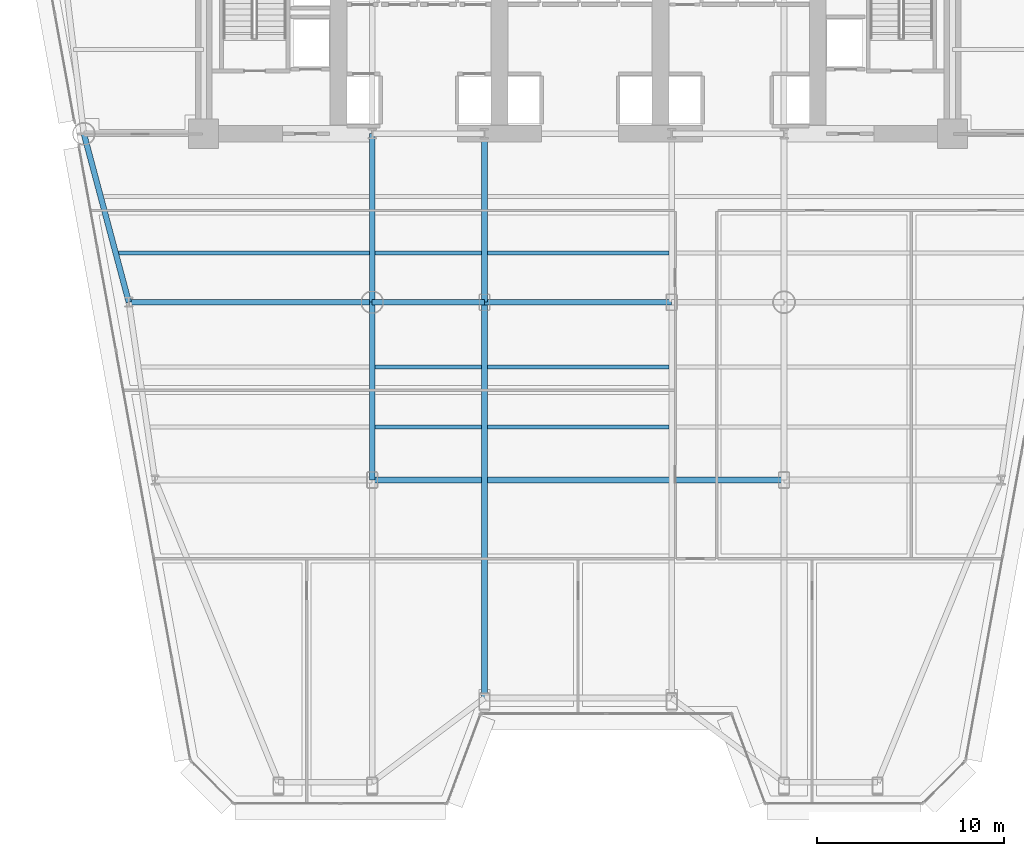
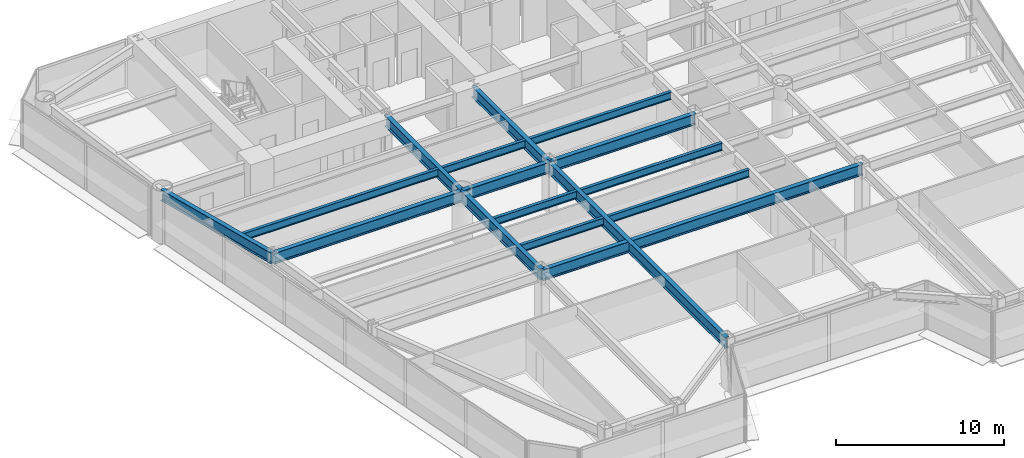
# One storey, part 3 of 14: 16 beams.
"""IFC4 building model written with IfcOpenShell, lengths in metres."""

from ifc_helpers import new_model, si_unit, direction, frame, origin, origin_2d, place, context, subcontext, project, spatial, i_section, extrude, source, transform, mapped, material, material_profile, profile_set, type_object, element, save


model = new_model("IFC4")

# Units and contexts
model_context = context("Model", 3, precision=1e-05, world=origin(), true_north=direction((0.0, 1.0)))
body_context = subcontext(model_context, "Body", "Model", "MODEL_VIEW")
ifc_project = project(units=[si_unit("LENGTHUNIT", "METRE"), si_unit("AREAUNIT", "SQUARE_METRE"), si_unit("VOLUMEUNIT", "CUBIC_METRE"), si_unit("PLANEANGLEUNIT", "RADIAN"), si_unit("MASSUNIT", "GRAM", prefix="KILO")], contexts=[model_context])

# Site, building, storey
site_placement = place(None, origin())
site = spatial("IfcSite", under=ifc_project, at=site_placement, CompositionType="ELEMENT")
building_placement = place(site_placement, origin())
building = spatial("IfcBuilding", under=site, at=building_placement, Name="Vaeldorn Concourse Tower", CompositionType="ELEMENT")
storey_placement = place(building_placement, frame((0.0, 0.0, 30.199951171875)))
storey = spatial("IfcBuildingStorey", under=building, at=storey_placement, Name="L07", CompositionType="ELEMENT", Elevation=30.199951171875)

# Beams
ifc_material = material(Name="Steel S355", Category="steel")
ifc_material_profile_1 = material_profile(ifc_material, i_section(OverallWidth=0.300048828125, OverallDepth=0.800048828125, WebThickness=0.017578125, FlangeThickness=0.032958984375, FilletRadius=0.030029296875, at=origin_2d()), Name="HEB 800")
ifc_profile_set_1 = profile_set([ifc_material_profile_1], Name="Steel S355")
beam_type_1 = type_object("IfcBeamType", Name="BM-PG-HEB800", PredefinedType="BEAM", material=ifc_profile_set_1)
shared_shape_1 = source(origin(), body_context, "Body", "SweptSolid", [
    extrude(i_section(OverallWidth=0.300048828125, OverallDepth=0.800048828125, WebThickness=0.017578125, FlangeThickness=0.032958984375, FilletRadius=0.030029296875, at=origin_2d()), origin(), (0.0, 0.0, 1.0), 6.0),
])
beam_1_placement = place(storey_placement, frame((23.0, 27.5, 3.179931640625), z_axis=(1.0, 0.0, 0.0), x_axis=(0.0, 1.0, 0.0)))
element("IfcBeam", 1, at=beam_1_placement, inside=storey, type_object=beam_type_1, Name="Beam BM-L07-C-TW1-C-TW2", PredefinedType="BEAM", context=body_context, shape_type="MappedRepresentation", body=[
    mapped(shared_shape_1, transform((0.0, 0.0, 0.0), scale=1.0)),
])
shared_shape_2 = source(origin(), body_context, "Body", "SweptSolid", [
    extrude(i_section(OverallWidth=0.300048828125, OverallDepth=0.800048828125, WebThickness=0.017578125, FlangeThickness=0.032958984375, FilletRadius=0.030029296875, at=origin_2d()), origin(), (0.0, 0.0, 1.0), 10.0),
])
beam_2_placement = place(storey_placement, frame((29.0, 27.5, 3.179931640625), z_axis=(1.0, 0.0, 0.0), x_axis=(0.0, 1.0, 0.0)))
element("IfcBeam", 2, at=beam_2_placement, inside=storey, type_object=beam_type_1, Name="Beam BM-L07-C-TW2-C-TW3", PredefinedType="BEAM", context=body_context, shape_type="MappedRepresentation", body=[
    mapped(shared_shape_2, transform((0.0, 0.0, 0.0), scale=1.0)),
])
shared_shape_3 = source(origin(), body_context, "Body", "SweptSolid", [
    extrude(i_section(OverallWidth=0.300048828125, OverallDepth=0.800048828125, WebThickness=0.017578125, FlangeThickness=0.032958984375, FilletRadius=0.030029296875, at=origin_2d()), origin(), (0.0, 0.0, 1.0), 9.0),
])
for number, where, z_axis, x_axis, name in (
    (3, (23.0, 27.5, 3.179931640625), (0.0, 1.0, 0.0), (-1.0, 0.0, 0.0), "Beam BM-L07-C-TW1-C-FC2"),
    (4, (29.0, 27.5, 3.179931640625), (0.0, 1.0, 0.0), (-1.0, 0.0, 0.0), "Beam BM-L07-C-TW2-C-FC3"),
):
    element("IfcBeam", number, at=place(storey_placement, frame(where, z_axis=z_axis, x_axis=x_axis)), inside=storey, type_object=beam_type_1, Name=name, PredefinedType="BEAM", context=body_context, shape_type="MappedRepresentation", body=[
        mapped(shared_shape_3, transform((0.0, 0.0, 0.0), scale=1.0)),
    ])
shared_shape_4 = source(origin(), body_context, "Body", "SweptSolid", [
    extrude(i_section(OverallWidth=0.300048828125, OverallDepth=0.800048828125, WebThickness=0.017578125, FlangeThickness=0.032958984375, FilletRadius=0.030029296875, at=origin_2d()), origin(), (0.0, 0.0, 1.0), 9.314453125),
])
beam_3_placement = place(storey_placement, frame((7.60009765625, 36.5, 3.179931640625), z_axis=(0.257652862255, -0.966237549763, 0.0), x_axis=(0.966237549763, 0.257652862255, 0.0)))
element("IfcBeam", 5, at=beam_3_placement, inside=storey, type_object=beam_type_1, Name="Beam BM-L07-C-NW2-C-FLW1", PredefinedType="BEAM", context=body_context, shape_type="MappedRepresentation", body=[
    mapped(shared_shape_4, transform((0.0, 0.0, 0.0), scale=1.0)),
])
shared_shape_5 = source(origin(), body_context, "Body", "SweptSolid", [
    extrude(i_section(OverallWidth=0.300048828125, OverallDepth=0.800048828125, WebThickness=0.017578125, FlangeThickness=0.032958984375, FilletRadius=0.030029296875, at=origin_2d()), origin(), (0.0, 0.0, 1.0), 13.0),
])
beam_4_placement = place(storey_placement, frame((10.0, 27.5, 3.179931640625), z_axis=(1.0, 0.0, 0.0), x_axis=(0.0, 1.0, 0.0)))
element("IfcBeam", 6, at=beam_4_placement, inside=storey, type_object=beam_type_1, Name="Beam BM-L07-C-FLW1-C-TW1", PredefinedType="BEAM", context=body_context, shape_type="MappedRepresentation", body=[
    mapped(shared_shape_5, transform((0.0, 0.0, 0.0), scale=1.0)),
])
shared_shape_6 = source(origin(), body_context, "Body", "SweptSolid", [
    extrude(i_section(OverallWidth=0.300048828125, OverallDepth=0.800048828125, WebThickness=0.017578125, FlangeThickness=0.032958984375, FilletRadius=0.030029296875, at=origin_2d()), origin(), (0.0, 0.0, 1.0), 22.0),
])
beam_5_placement = place(storey_placement, frame((23.0, 18.0, 3.179931640625), z_axis=(1.0, 0.0, 0.0), x_axis=(0.0, 1.0, 0.0)))
element("IfcBeam", 7, at=beam_5_placement, inside=storey, type_object=beam_type_1, Name="Beam BM-L07-C-TW5-C-TW6", PredefinedType="BEAM", context=body_context, shape_type="MappedRepresentation", body=[
    mapped(shared_shape_6, transform((0.0, 0.0, 0.0), scale=1.0)),
])
shared_shape_7 = source(origin(), body_context, "Body", "SweptSolid", [
    extrude(i_section(OverallWidth=0.300048828125, OverallDepth=0.800048828125, WebThickness=0.017578125, FlangeThickness=0.032958984375, FilletRadius=0.030029296875, at=origin_2d()), origin(), (0.0, 0.0, 1.0), 9.5),
])
beam_6_placement = place(storey_placement, frame((23.0, 18.0, 3.179931640625), z_axis=(0.0, 1.0, 0.0), x_axis=(-1.0, 0.0, 0.0)))
element("IfcBeam", 8, at=beam_6_placement, inside=storey, type_object=beam_type_1, Name="Beam BM-L07-C-TW5-C-TW1", PredefinedType="BEAM", context=body_context, shape_type="MappedRepresentation", body=[
    mapped(shared_shape_7, transform((0.0, 0.0, 0.0), scale=1.0)),
])
ifc_material_profile_2 = material_profile(ifc_material, i_section(OverallWidth=0.2099609375, OverallDepth=0.550048828125, WebThickness=0.010986328125, FlangeThickness=0.01708984375, FilletRadius=0.02392578125, at=origin_2d()), Name="IPE 550")
ifc_profile_set_2 = profile_set([ifc_material_profile_2], Name="Steel S355")
beam_type_2 = type_object("IfcBeamType", Name="BM-JS-IPE550", PredefinedType="JOIST", material=ifc_profile_set_2)
shared_shape_8 = source(origin(), body_context, "Body", "SweptSolid", [
    extrude(i_section(OverallWidth=0.2099609375, OverallDepth=0.550048828125, WebThickness=0.010986328125, FlangeThickness=0.01708984375, FilletRadius=0.02392578125, at=origin_2d()), origin(), (0.0, 0.0, 1.0), 5.7001953125),
])
for number, where, z_axis, x_axis, name in (
    (9, (23.14990234375, 20.840087890625, 3.304931640625), (1.0, 0.0, 0.0), (0.0, 1.0, 0.0), "Beam JS-L07-W2-208"),
    (10, (23.14990234375, 24.0400390625, 3.304931640625), (1.0, 0.0, 0.0), (0.0, 1.0, 0.0), "Beam JS-L07-W2-240"),
    (11, (23.14990234375, 30.139892578125, 3.304931640625), (1.0, 0.0, 0.0), (0.0, 1.0, 0.0), "Beam JS-L07-W2-301"),
):
    element("IfcBeam", number, at=place(storey_placement, frame(where, z_axis=z_axis, x_axis=x_axis)), inside=storey, type_object=beam_type_2, Name=name, PredefinedType="JOIST", context=body_context, shape_type="MappedRepresentation", body=[
        mapped(shared_shape_8, transform((0.0, 0.0, 0.0), scale=1.0)),
    ])
shared_shape_9 = source(origin(), body_context, "Body", "SweptSolid", [
    extrude(i_section(OverallWidth=0.2099609375, OverallDepth=0.550048828125, WebThickness=0.010986328125, FlangeThickness=0.01708984375, FilletRadius=0.02392578125, at=origin_2d()), origin(), (0.0, 0.0, 1.0), 9.7001953125),
])
for number, where, z_axis, x_axis, name in (
    (12, (29.14990234375, 20.840087890625, 3.304931640625), (1.0, 0.0, 0.0), (0.0, 1.0, 0.0), "Beam JS-L07-C-208"),
    (13, (29.14990234375, 24.0400390625, 3.304931640625), (1.0, 0.0, 0.0), (0.0, 1.0, 0.0), "Beam JS-L07-C-240"),
    (14, (29.14990234375, 30.139892578125, 3.304931640625), (1.0, 0.0, 0.0), (0.0, 1.0, 0.0), "Beam JS-L07-C-301"),
):
    element("IfcBeam", number, at=place(storey_placement, frame(where, z_axis=z_axis, x_axis=x_axis)), inside=storey, type_object=beam_type_2, Name=name, PredefinedType="JOIST", context=body_context, shape_type="MappedRepresentation", body=[
        mapped(shared_shape_9, transform((0.0, 0.0, 0.0), scale=1.0)),
    ])
shared_shape_10 = source(origin(), body_context, "Body", "SweptSolid", [
    extrude(i_section(OverallWidth=0.300048828125, OverallDepth=0.800048828125, WebThickness=0.017578125, FlangeThickness=0.032958984375, FilletRadius=0.030029296875, at=origin_2d()), origin(), (0.0, 0.0, 1.0), 21.143798828125),
])
beam_7_placement = place(storey_placement, frame((29.0, 6.356201171875, 3.179931640625), z_axis=(0.0, 1.0, 0.0), x_axis=(-1.0, 0.0, 0.0)))
element("IfcBeam", 15, at=beam_7_placement, inside=storey, type_object=beam_type_1, Name="Beam BM-L07-C-SF3-C-TW2", PredefinedType="BEAM", context=body_context, shape_type="MappedRepresentation", body=[
    mapped(shared_shape_10, transform((0.0, 0.0, 0.0), scale=1.0)),
])
shared_shape_11 = source(origin(), body_context, "Body", "SweptSolid", [
    extrude(i_section(OverallWidth=0.2099609375, OverallDepth=0.550048828125, WebThickness=0.010986328125, FlangeThickness=0.01708984375, FilletRadius=0.02392578125, at=origin_2d()), origin(), (0.0, 0.0, 1.0), 13.404052734375),
])
beam_8_placement = place(storey_placement, frame((9.446044921875, 30.139892578125, 3.304931640625), z_axis=(1.0, 0.0, 0.0), x_axis=(0.0, 1.0, 0.0)))
element("IfcBeam", 16, at=beam_8_placement, inside=storey, type_object=beam_type_2, Name="Beam JS-L07-W1-301", PredefinedType="JOIST", context=body_context, shape_type="MappedRepresentation", body=[
    mapped(shared_shape_11, transform((0.0, 0.0, 0.0), scale=1.0)),
])

save(model, "model.ifc")
